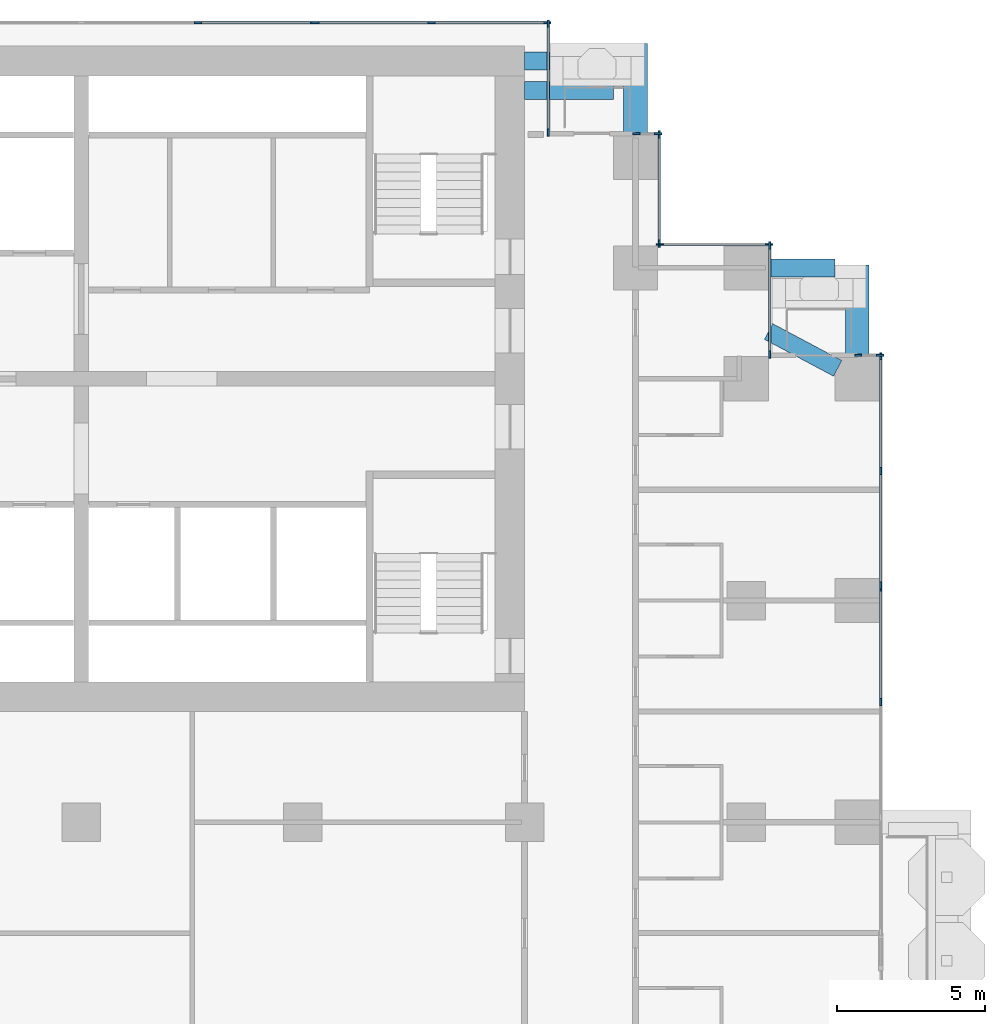
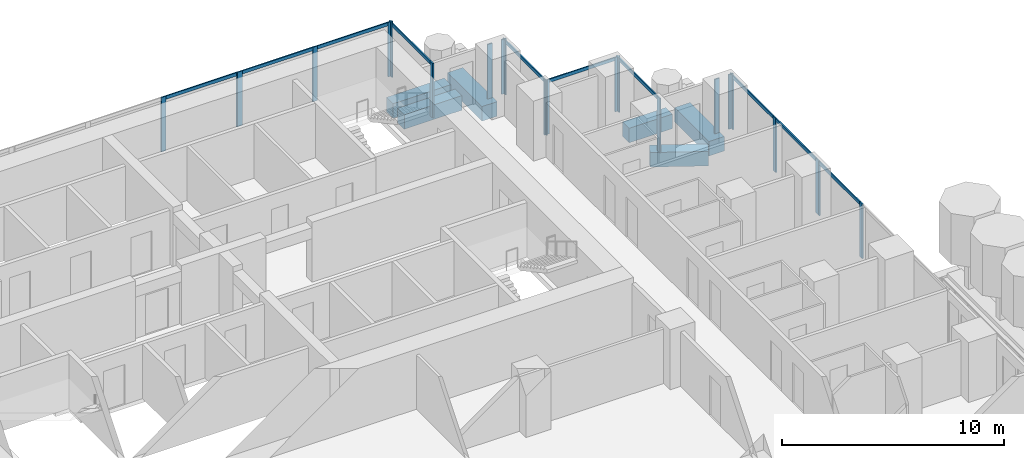
# One storey, part 6 of 18: 32 members, 6 beams, 10 elements without a shape of their own.
"""IFC4 building model written with IfcOpenShell, lengths in metres."""

from ifc_helpers import new_model, si_unit, direction, frame, origin, origin_2d, place, context, subcontext, project, spatial, rectangle, extrude, material, material_profile, profile_set, type_object, element, aggregate, save


model = new_model("IFC4")

# Units and contexts
model_context = context("Model", 3, precision=1e-05, world=origin(), true_north=direction((0.0, 1.0)))
body_context = subcontext(model_context, "Body", "Model", "MODEL_VIEW")
ifc_project = project(units=[si_unit("LENGTHUNIT", "METRE"), si_unit("AREAUNIT", "SQUARE_METRE"), si_unit("VOLUMEUNIT", "CUBIC_METRE"), si_unit("PLANEANGLEUNIT", "RADIAN"), si_unit("MASSUNIT", "GRAM", prefix="KILO")], contexts=[model_context])

# Site, building, storey
site_placement = place(None, origin())
site = spatial("IfcSite", under=ifc_project, at=site_placement, CompositionType="ELEMENT")
building_placement = place(site_placement, origin())
building = spatial("IfcBuilding", under=site, at=building_placement, Name="Pilkhan Gate Tower", CompositionType="ELEMENT")
storey_placement = place(building_placement, frame((0.0, 0.0, 82.39990234375)))
storey = spatial("IfcBuildingStorey", under=building, at=storey_placement, Name="L19", CompositionType="ELEMENT", Elevation=82.39990234375)

# Beams
ifc_material_1 = material(Name="Concrete C50/60", Category="concrete")
ifc_material_profile_1 = material_profile(ifc_material_1, rectangle(XDim=0.60009765625, YDim=0.800048828125, at=origin_2d()), Name="RC 600x800")
ifc_profile_set_1 = profile_set([ifc_material_profile_1], Name="Concrete C50/60")
beam_type_1 = type_object("IfcBeamType", Name="Cantilever beam CB1 RC 600x800 C50/60", PredefinedType="BEAM", material=ifc_profile_set_1)
for number, where, z_axis, x_axis, name in (
    (1, (90.0, 93.25, -0.699951171875), (1.0, 0.0, 0.0), (0.0, 1.0, 0.0), "Balcony beam NE.2 L19"),
    (2, (90.0, 92.25, -0.699951171875), (1.0, 0.0, 0.0), (0.0, 1.0, 0.0), "Balcony beam NE.3 L19"),
):
    element("IfcBeam", number, at=place(storey_placement, frame(where, z_axis=z_axis, x_axis=x_axis)), inside=storey, type_object=beam_type_1, Name=name, PredefinedType="BEAM", context=body_context, shape_type="SweptSolid", body=[
        extrude(rectangle(XDim=0.60009765625, YDim=0.800048828125, at=origin_2d()), origin(), (0.0, 0.0, 1.0), 3.0),
    ])
beam_1_placement = place(storey_placement, frame((98.25, 86.25, -0.699951171875), z_axis=(1.0, 0.0, 0.0), x_axis=(0.0, 1.0, 0.0)))
element("IfcBeam", 3, at=beam_1_placement, inside=storey, type_object=beam_type_1, Name="Balcony beam NE2.2 L19", PredefinedType="BEAM", context=body_context, shape_type="SweptSolid", body=[
    extrude(rectangle(XDim=0.60009765625, YDim=0.800048828125, at=origin_2d()), origin(), (0.0, 0.0, 1.0), 2.25),
])
beam_2_placement = place(storey_placement, frame((100.588134765625, 82.85302734375, -0.699951171875), z_axis=(-0.882342739565, 0.470607362817, 0.0), x_axis=(-0.470607362817, -0.882342739565, 0.0)))
element("IfcBeam", 4, at=beam_2_placement, inside=storey, type_object=beam_type_1, Name="Balcony beam NE2.3 L19", PredefinedType="BEAM", context=body_context, shape_type="SweptSolid", body=[
    extrude(rectangle(XDim=0.60009765625, YDim=0.800048828125, at=origin_2d()), origin(), (0.0, 0.0, 1.0), 2.64990234375),
])
ifc_material_profile_2 = material_profile(ifc_material_1, rectangle(XDim=0.800048828125, YDim=0.800048828125, at=origin_2d()), Name="RC 800x800")
ifc_profile_set_2 = profile_set([ifc_material_profile_2], Name="Concrete C50/60")
beam_type_2 = type_object("IfcBeamType", Name="Cantilever beam CB2 RC 800x800 C50/60", PredefinedType="BEAM", material=ifc_profile_set_2)
for number, where, z_axis, x_axis, name in (
    (5, (93.75, 90.75, -0.699951171875), (0.0, 1.0, 0.0), (-1.0, 0.0, 0.0), "Balcony beam NE.1 L19"),
    (6, (101.25, 83.25, -0.699951171875), (0.0, 1.0, 0.0), (-1.0, 0.0, 0.0), "Balcony beam NE2.1 L19"),
):
    element("IfcBeam", number, at=place(storey_placement, frame(where, z_axis=z_axis, x_axis=x_axis)), inside=storey, type_object=beam_type_2, Name=name, PredefinedType="BEAM", context=body_context, shape_type="SweptSolid", body=[
        extrude(rectangle(XDim=0.800048828125, YDim=0.800048828125, at=origin_2d()), origin(), (0.0, 0.0, 1.0), 3.10009765625),
    ])

# Curtain wall, members
ifc_material_2 = material(Name="Pale anodised aluminium, clear low-iron double glazing", Category="aluminium")
curtain_wall_type = type_object("IfcCurtainWallType", Name="Hotel unitised curtain wall CW-H", PredefinedType="USERDEFINED", material=ifc_material_2)
curtain_wall_1_placement = place(storey_placement, origin())
curtain_wall_1 = element("IfcCurtainWall", 7, at=curtain_wall_1_placement, inside=storey, type_object=curtain_wall_type, Name="Hotel unitised curtain wall CW-H L19 E", ObjectType="UNITISED CURTAIN WALL", PredefinedType="USERDEFINED")
ifc_material_3 = material(Name="Pale anodised aluminium", Category="aluminium")
ifc_material_profile_3 = material_profile(ifc_material_3, rectangle(XDim=0.06494140625, YDim=0.25, at=origin_2d()), Name="Mullion 250x65")
ifc_profile_set_3 = profile_set([ifc_material_profile_3], Name="Pale anodised aluminium")
member_type_1 = type_object("IfcMemberType", Name="Mullion CW-H 250x65", PredefinedType="MULLION", material=ifc_profile_set_3)
member_1_placement = place(storey_placement, frame((102.044921875, 71.568115234375, 0.0), z_axis=(0.0, 0.0, 1.0), x_axis=(-1.0, 0.0, 0.0)))
member_1 = element("IfcMember", 8, at=member_1_placement, type_object=member_type_1, Name="CW-H mullion 3", PredefinedType="MULLION", context=body_context, shape_type="SweptSolid", body=[
    extrude(rectangle(XDim=0.06494140625, YDim=0.25, at=origin_2d()), origin(), (0.0, 0.0, 1.0), 3.0),
])
member_2_placement = place(storey_placement, frame((102.044921875, 75.444580078125, 0.0), z_axis=(0.0, 0.0, 1.0), x_axis=(-1.0, 0.0, 0.0)))
member_2 = element("IfcMember", 9, at=member_2_placement, type_object=member_type_1, Name="CW-H mullion 4", PredefinedType="MULLION", context=body_context, shape_type="SweptSolid", body=[
    extrude(rectangle(XDim=0.06494140625, YDim=0.25, at=origin_2d()), origin(), (0.0, 0.0, 1.0), 3.0),
])

curtain_wall_2_placement = place(storey_placement, origin())
curtain_wall_2 = element("IfcCurtainWall", 10, at=curtain_wall_2_placement, inside=storey, type_object=curtain_wall_type, Name="Hotel unitised curtain wall CW-H L19 E", ObjectType="UNITISED CURTAIN WALL", PredefinedType="USERDEFINED")
member_3_placement = place(storey_placement, frame((102.044921875, 75.509521484375, 0.0), z_axis=(0.0, 0.0, 1.0), x_axis=(-1.0, 0.0, 0.0)))
member_3 = element("IfcMember", 11, at=member_3_placement, type_object=member_type_1, Name="CW-H mullion 1", PredefinedType="MULLION", context=body_context, shape_type="SweptSolid", body=[
    extrude(rectangle(XDim=0.06494140625, YDim=0.25, at=origin_2d()), origin(), (0.0, 0.0, 1.0), 3.0),
])
member_4_placement = place(storey_placement, frame((102.044921875, 79.385986328125, 0.0), z_axis=(0.0, 0.0, 1.0), x_axis=(-1.0, 0.0, 0.0)))
member_4 = element("IfcMember", 12, at=member_4_placement, type_object=member_type_1, Name="CW-H mullion 2", PredefinedType="MULLION", context=body_context, shape_type="SweptSolid", body=[
    extrude(rectangle(XDim=0.06494140625, YDim=0.25, at=origin_2d()), origin(), (0.0, 0.0, 1.0), 3.0),
])
member_5_placement = place(storey_placement, frame((102.044921875, 83.262451171875, 0.0), z_axis=(0.0, 0.0, 1.0), x_axis=(-1.0, 0.0, 0.0)))
member_5 = element("IfcMember", 13, at=member_5_placement, type_object=member_type_1, Name="CW-H mullion 3", PredefinedType="MULLION", context=body_context, shape_type="SweptSolid", body=[
    extrude(rectangle(XDim=0.06494140625, YDim=0.25, at=origin_2d()), origin(), (0.0, 0.0, 1.0), 3.0),
])

curtain_wall_3_placement = place(storey_placement, origin())
curtain_wall_3 = element("IfcCurtainWall", 14, at=curtain_wall_3_placement, inside=storey, type_object=curtain_wall_type, Name="Hotel unitised curtain wall CW-H L19 N", ObjectType="UNITISED CURTAIN WALL", PredefinedType="USERDEFINED")
member_6_placement = place(storey_placement, frame((101.282470703125, 83.294921875, 0.0), z_axis=(0.0, 0.0, 1.0), x_axis=(0.0, 1.0, 0.0)))
member_6 = element("IfcMember", 15, at=member_6_placement, type_object=member_type_1, Name="CW-H mullion 1", PredefinedType="MULLION", context=body_context, shape_type="SweptSolid", body=[
    extrude(rectangle(XDim=0.06494140625, YDim=0.25, at=origin_2d()), origin(), (0.0, 0.0, 1.0), 3.0),
])
member_7_placement = place(storey_placement, frame((102.012451171875, 83.294921875, 0.0), z_axis=(0.0, 0.0, 1.0), x_axis=(0.0, 1.0, 0.0)))
member_7 = element("IfcMember", 16, at=member_7_placement, type_object=member_type_1, Name="CW-H mullion 2", PredefinedType="MULLION", context=body_context, shape_type="SweptSolid", body=[
    extrude(rectangle(XDim=0.06494140625, YDim=0.25, at=origin_2d()), origin(), (0.0, 0.0, 1.0), 3.0),
])
aggregate(curtain_wall_3, [member_6, member_7])

curtain_wall_4_placement = place(storey_placement, origin())
curtain_wall_4 = element("IfcCurtainWall", 17, at=curtain_wall_4_placement, inside=storey, type_object=curtain_wall_type, Name="Hotel unitised curtain wall CW-H L19 E", ObjectType="UNITISED CURTAIN WALL", PredefinedType="USERDEFINED")
member_8_placement = place(storey_placement, frame((98.294921875, 83.327392578125, 0.0), z_axis=(0.0, 0.0, 1.0), x_axis=(-1.0, 0.0, 0.0)))
member_8 = element("IfcMember", 18, at=member_8_placement, type_object=member_type_1, Name="CW-H mullion 1", PredefinedType="MULLION", context=body_context, shape_type="SweptSolid", body=[
    extrude(rectangle(XDim=0.06494140625, YDim=0.25, at=origin_2d()), origin(), (0.0, 0.0, 1.0), 3.0),
])
member_9_placement = place(storey_placement, frame((98.294921875, 87.012451171875, 0.0), z_axis=(0.0, 0.0, 1.0), x_axis=(-1.0, 0.0, 0.0)))
member_9 = element("IfcMember", 19, at=member_9_placement, type_object=member_type_1, Name="CW-H mullion 2", PredefinedType="MULLION", context=body_context, shape_type="SweptSolid", body=[
    extrude(rectangle(XDim=0.06494140625, YDim=0.25, at=origin_2d()), origin(), (0.0, 0.0, 1.0), 3.0),
])

curtain_wall_5_placement = place(storey_placement, origin())
curtain_wall_5 = element("IfcCurtainWall", 20, at=curtain_wall_5_placement, inside=storey, type_object=curtain_wall_type, Name="Hotel unitised curtain wall CW-H L19 N", ObjectType="UNITISED CURTAIN WALL", PredefinedType="USERDEFINED")
member_10_placement = place(storey_placement, frame((94.577392578125, 87.044921875, 0.0), z_axis=(0.0, 0.0, 1.0), x_axis=(0.0, 1.0, 0.0)))
member_10 = element("IfcMember", 21, at=member_10_placement, type_object=member_type_1, Name="CW-H mullion 1", PredefinedType="MULLION", context=body_context, shape_type="SweptSolid", body=[
    extrude(rectangle(XDim=0.06494140625, YDim=0.25, at=origin_2d()), origin(), (0.0, 0.0, 1.0), 3.0),
])
member_11_placement = place(storey_placement, frame((98.262451171875, 87.044921875, 0.0), z_axis=(0.0, 0.0, 1.0), x_axis=(0.0, 1.0, 0.0)))
member_11 = element("IfcMember", 22, at=member_11_placement, type_object=member_type_1, Name="CW-H mullion 2", PredefinedType="MULLION", context=body_context, shape_type="SweptSolid", body=[
    extrude(rectangle(XDim=0.06494140625, YDim=0.25, at=origin_2d()), origin(), (0.0, 0.0, 1.0), 3.0),
])

curtain_wall_6_placement = place(storey_placement, origin())
curtain_wall_6 = element("IfcCurtainWall", 23, at=curtain_wall_6_placement, inside=storey, type_object=curtain_wall_type, Name="Hotel unitised curtain wall CW-H L19 E", ObjectType="UNITISED CURTAIN WALL", PredefinedType="USERDEFINED")
member_12_placement = place(storey_placement, frame((94.544921875, 87.077392578125, 0.0), z_axis=(0.0, 0.0, 1.0), x_axis=(-1.0, 0.0, 0.0)))
member_12 = element("IfcMember", 24, at=member_12_placement, type_object=member_type_1, Name="CW-H mullion 1", PredefinedType="MULLION", context=body_context, shape_type="SweptSolid", body=[
    extrude(rectangle(XDim=0.06494140625, YDim=0.25, at=origin_2d()), origin(), (0.0, 0.0, 1.0), 3.0),
])
member_13_placement = place(storey_placement, frame((94.544921875, 90.762451171875, 0.0), z_axis=(0.0, 0.0, 1.0), x_axis=(-1.0, 0.0, 0.0)))
member_13 = element("IfcMember", 25, at=member_13_placement, type_object=member_type_1, Name="CW-H mullion 2", PredefinedType="MULLION", context=body_context, shape_type="SweptSolid", body=[
    extrude(rectangle(XDim=0.06494140625, YDim=0.25, at=origin_2d()), origin(), (0.0, 0.0, 1.0), 3.0),
])

curtain_wall_7_placement = place(storey_placement, origin())
curtain_wall_7 = element("IfcCurtainWall", 26, at=curtain_wall_7_placement, inside=storey, type_object=curtain_wall_type, Name="Hotel unitised curtain wall CW-H L19 N", ObjectType="UNITISED CURTAIN WALL", PredefinedType="USERDEFINED")
member_14_placement = place(storey_placement, frame((93.782470703125, 90.794921875, 0.0), z_axis=(0.0, 0.0, 1.0), x_axis=(0.0, 1.0, 0.0)))
member_14 = element("IfcMember", 27, at=member_14_placement, type_object=member_type_1, Name="CW-H mullion 1", PredefinedType="MULLION", context=body_context, shape_type="SweptSolid", body=[
    extrude(rectangle(XDim=0.06494140625, YDim=0.25, at=origin_2d()), origin(), (0.0, 0.0, 1.0), 3.0),
])
member_15_placement = place(storey_placement, frame((94.512451171875, 90.794921875, 0.0), z_axis=(0.0, 0.0, 1.0), x_axis=(0.0, 1.0, 0.0)))
member_15 = element("IfcMember", 28, at=member_15_placement, type_object=member_type_1, Name="CW-H mullion 2", PredefinedType="MULLION", context=body_context, shape_type="SweptSolid", body=[
    extrude(rectangle(XDim=0.06494140625, YDim=0.25, at=origin_2d()), origin(), (0.0, 0.0, 1.0), 3.0),
])
aggregate(curtain_wall_7, [member_14, member_15])

curtain_wall_8_placement = place(storey_placement, origin())
curtain_wall_8 = element("IfcCurtainWall", 29, at=curtain_wall_8_placement, inside=storey, type_object=curtain_wall_type, Name="Hotel unitised curtain wall CW-H L19 E", ObjectType="UNITISED CURTAIN WALL", PredefinedType="USERDEFINED")
member_16_placement = place(storey_placement, frame((90.794921875, 90.827392578125, 0.0), z_axis=(0.0, 0.0, 1.0), x_axis=(-1.0, 0.0, 0.0)))
member_16 = element("IfcMember", 30, at=member_16_placement, type_object=member_type_1, Name="CW-H mullion 1", PredefinedType="MULLION", context=body_context, shape_type="SweptSolid", body=[
    extrude(rectangle(XDim=0.06494140625, YDim=0.25, at=origin_2d()), origin(), (0.0, 0.0, 1.0), 3.0),
])
member_17_placement = place(storey_placement, frame((90.794921875, 94.512451171875, 0.0), z_axis=(0.0, 0.0, 1.0), x_axis=(-1.0, 0.0, 0.0)))
member_17 = element("IfcMember", 31, at=member_17_placement, type_object=member_type_1, Name="CW-H mullion 2", PredefinedType="MULLION", context=body_context, shape_type="SweptSolid", body=[
    extrude(rectangle(XDim=0.06494140625, YDim=0.25, at=origin_2d()), origin(), (0.0, 0.0, 1.0), 3.0),
])

curtain_wall_9_placement = place(storey_placement, origin())
curtain_wall_9 = element("IfcCurtainWall", 32, at=curtain_wall_9_placement, inside=storey, type_object=curtain_wall_type, Name="Hotel unitised curtain wall CW-H L19 N", ObjectType="UNITISED CURTAIN WALL", PredefinedType="USERDEFINED")
member_18_placement = place(storey_placement, frame((78.94873046875, 94.544921875, 0.0), z_axis=(0.0, 0.0, 1.0), x_axis=(0.0, 1.0, 0.0)))
member_18 = element("IfcMember", 33, at=member_18_placement, type_object=member_type_1, Name="CW-H mullion 3", PredefinedType="MULLION", context=body_context, shape_type="SweptSolid", body=[
    extrude(rectangle(XDim=0.06494140625, YDim=0.25, at=origin_2d()), origin(), (0.0, 0.0, 1.0), 3.0),
])
member_19_placement = place(storey_placement, frame((82.864990234375, 94.544921875, 0.0), z_axis=(0.0, 0.0, 1.0), x_axis=(0.0, 1.0, 0.0)))
member_19 = element("IfcMember", 34, at=member_19_placement, type_object=member_type_1, Name="CW-H mullion 4", PredefinedType="MULLION", context=body_context, shape_type="SweptSolid", body=[
    extrude(rectangle(XDim=0.06494140625, YDim=0.25, at=origin_2d()), origin(), (0.0, 0.0, 1.0), 3.0),
])

curtain_wall_10_placement = place(storey_placement, origin())
curtain_wall_10 = element("IfcCurtainWall", 35, at=curtain_wall_10_placement, inside=storey, type_object=curtain_wall_type, Name="Hotel unitised curtain wall CW-H L19 N", ObjectType="UNITISED CURTAIN WALL", PredefinedType="USERDEFINED")
member_20_placement = place(storey_placement, frame((82.929931640625, 94.544921875, 0.0), z_axis=(0.0, 0.0, 1.0), x_axis=(0.0, 1.0, 0.0)))
member_20 = element("IfcMember", 36, at=member_20_placement, type_object=member_type_1, Name="CW-H mullion 1", PredefinedType="MULLION", context=body_context, shape_type="SweptSolid", body=[
    extrude(rectangle(XDim=0.06494140625, YDim=0.25, at=origin_2d()), origin(), (0.0, 0.0, 1.0), 3.0),
])
member_21_placement = place(storey_placement, frame((86.84619140625, 94.544921875, 0.0), z_axis=(0.0, 0.0, 1.0), x_axis=(0.0, 1.0, 0.0)))
member_21 = element("IfcMember", 37, at=member_21_placement, type_object=member_type_1, Name="CW-H mullion 2", PredefinedType="MULLION", context=body_context, shape_type="SweptSolid", body=[
    extrude(rectangle(XDim=0.06494140625, YDim=0.25, at=origin_2d()), origin(), (0.0, 0.0, 1.0), 3.0),
])
member_22_placement = place(storey_placement, frame((90.762451171875, 94.544921875, 0.0), z_axis=(0.0, 0.0, 1.0), x_axis=(0.0, 1.0, 0.0)))
member_22 = element("IfcMember", 38, at=member_22_placement, type_object=member_type_1, Name="CW-H mullion 3", PredefinedType="MULLION", context=body_context, shape_type="SweptSolid", body=[
    extrude(rectangle(XDim=0.06494140625, YDim=0.25, at=origin_2d()), origin(), (0.0, 0.0, 1.0), 3.0),
])

# Member
ifc_material_profile_4 = material_profile(ifc_material_3, rectangle(XDim=0.06494140625, YDim=0.179931640625, at=origin_2d()), Name="Transom 180x65")
ifc_profile_set_4 = profile_set([ifc_material_profile_4], Name="Pale anodised aluminium")
member_type_2 = type_object("IfcMemberType", Name="Transom CW-H 180x65", PredefinedType="USERDEFINED", material=ifc_profile_set_4)
member_23_placement = place(storey_placement, frame((102.044921875, 71.6005859375, 2.91015625), z_axis=(0.0, 1.0, 0.0), x_axis=(-1.0, 0.0, 0.0)))
member_23 = element("IfcMember", 39, at=member_23_placement, type_object=member_type_2, Name="CW-H transom 3", ObjectType="TRANSOM", PredefinedType="USERDEFINED", context=body_context, shape_type="SweptSolid", body=[
    extrude(rectangle(XDim=0.06494140625, YDim=0.179931640625, at=origin_2d()), origin(), (0.0, 0.0, 1.0), 3.8115234375),
])

aggregate(curtain_wall_1, [member_1, member_2, member_23])

member_24_placement = place(storey_placement, frame((102.044921875, 75.5419921875, 2.91015625), z_axis=(0.0, 1.0, 0.0), x_axis=(-1.0, 0.0, 0.0)))
member_24 = element("IfcMember", 40, at=member_24_placement, type_object=member_type_2, Name="CW-H transom 1", ObjectType="TRANSOM", PredefinedType="USERDEFINED", context=body_context, shape_type="SweptSolid", body=[
    extrude(rectangle(XDim=0.06494140625, YDim=0.179931640625, at=origin_2d()), origin(), (0.0, 0.0, 1.0), 3.8115234375),
])

member_25_placement = place(storey_placement, frame((102.044921875, 79.41845703125, 2.91015625), z_axis=(0.0, 1.0, 0.0), x_axis=(-1.0, 0.0, 0.0)))
member_25 = element("IfcMember", 41, at=member_25_placement, type_object=member_type_2, Name="CW-H transom 2", ObjectType="TRANSOM", PredefinedType="USERDEFINED", context=body_context, shape_type="SweptSolid", body=[
    extrude(rectangle(XDim=0.06494140625, YDim=0.179931640625, at=origin_2d()), origin(), (0.0, 0.0, 1.0), 3.8115234375),
])

aggregate(curtain_wall_2, [member_3, member_4, member_5, member_24, member_25])

member_26_placement = place(storey_placement, frame((98.294921875, 83.360107421875, 2.91015625), z_axis=(0.0, 1.0, 0.0), x_axis=(-1.0, 0.0, 0.0)))
member_26 = element("IfcMember", 42, at=member_26_placement, type_object=member_type_2, Name="CW-H transom 1", ObjectType="TRANSOM", PredefinedType="USERDEFINED", context=body_context, shape_type="SweptSolid", body=[
    extrude(rectangle(XDim=0.06494140625, YDim=0.179931640625, at=origin_2d()), origin(), (0.0, 0.0, 1.0), 3.619873046875),
])

aggregate(curtain_wall_4, [member_8, member_9, member_26])

member_27_placement = place(storey_placement, frame((94.610107421875, 87.044921875, 2.91015625), z_axis=(1.0, 0.0, 0.0), x_axis=(0.0, 1.0, 0.0)))
member_27 = element("IfcMember", 43, at=member_27_placement, type_object=member_type_2, Name="CW-H transom 1", ObjectType="TRANSOM", PredefinedType="USERDEFINED", context=body_context, shape_type="SweptSolid", body=[
    extrude(rectangle(XDim=0.06494140625, YDim=0.179931640625, at=origin_2d()), origin(), (0.0, 0.0, 1.0), 3.619873046875),
])

aggregate(curtain_wall_5, [member_10, member_11, member_27])

member_28_placement = place(storey_placement, frame((94.544921875, 87.110107421875, 2.91015625), z_axis=(0.0, 1.0, 0.0), x_axis=(-1.0, 0.0, 0.0)))
member_28 = element("IfcMember", 44, at=member_28_placement, type_object=member_type_2, Name="CW-H transom 1", ObjectType="TRANSOM", PredefinedType="USERDEFINED", context=body_context, shape_type="SweptSolid", body=[
    extrude(rectangle(XDim=0.06494140625, YDim=0.179931640625, at=origin_2d()), origin(), (0.0, 0.0, 1.0), 3.619873046875),
])

aggregate(curtain_wall_6, [member_12, member_13, member_28])

member_29_placement = place(storey_placement, frame((90.794921875, 90.860107421875, 2.91015625), z_axis=(0.0, 1.0, 0.0), x_axis=(-1.0, 0.0, 0.0)))
member_29 = element("IfcMember", 45, at=member_29_placement, type_object=member_type_2, Name="CW-H transom 1", ObjectType="TRANSOM", PredefinedType="USERDEFINED", context=body_context, shape_type="SweptSolid", body=[
    extrude(rectangle(XDim=0.06494140625, YDim=0.179931640625, at=origin_2d()), origin(), (0.0, 0.0, 1.0), 3.619873046875),
])

aggregate(curtain_wall_8, [member_16, member_17, member_29])

member_30_placement = place(storey_placement, frame((78.981201171875, 94.544921875, 2.91015625), z_axis=(1.0, 0.0, 0.0), x_axis=(0.0, 1.0, 0.0)))
member_30 = element("IfcMember", 46, at=member_30_placement, type_object=member_type_2, Name="CW-H transom 3", ObjectType="TRANSOM", PredefinedType="USERDEFINED", context=body_context, shape_type="SweptSolid", body=[
    extrude(rectangle(XDim=0.06494140625, YDim=0.179931640625, at=origin_2d()), origin(), (0.0, 0.0, 1.0), 3.851318359375),
])

aggregate(curtain_wall_9, [member_18, member_19, member_30])

member_31_placement = place(storey_placement, frame((82.96240234375, 94.544921875, 2.91015625), z_axis=(1.0, 0.0, 0.0), x_axis=(0.0, 1.0, 0.0)))
member_31 = element("IfcMember", 47, at=member_31_placement, type_object=member_type_2, Name="CW-H transom 1", ObjectType="TRANSOM", PredefinedType="USERDEFINED", context=body_context, shape_type="SweptSolid", body=[
    extrude(rectangle(XDim=0.06494140625, YDim=0.179931640625, at=origin_2d()), origin(), (0.0, 0.0, 1.0), 3.851318359375),
])

member_32_placement = place(storey_placement, frame((86.878662109375, 94.544921875, 2.91015625), z_axis=(1.0, 0.0, 0.0), x_axis=(0.0, 1.0, 0.0)))
member_32 = element("IfcMember", 48, at=member_32_placement, type_object=member_type_2, Name="CW-H transom 2", ObjectType="TRANSOM", PredefinedType="USERDEFINED", context=body_context, shape_type="SweptSolid", body=[
    extrude(rectangle(XDim=0.06494140625, YDim=0.179931640625, at=origin_2d()), origin(), (0.0, 0.0, 1.0), 3.851318359375),
])

aggregate(curtain_wall_10, [member_20, member_21, member_22, member_31, member_32])

save(model, "model.ifc")
